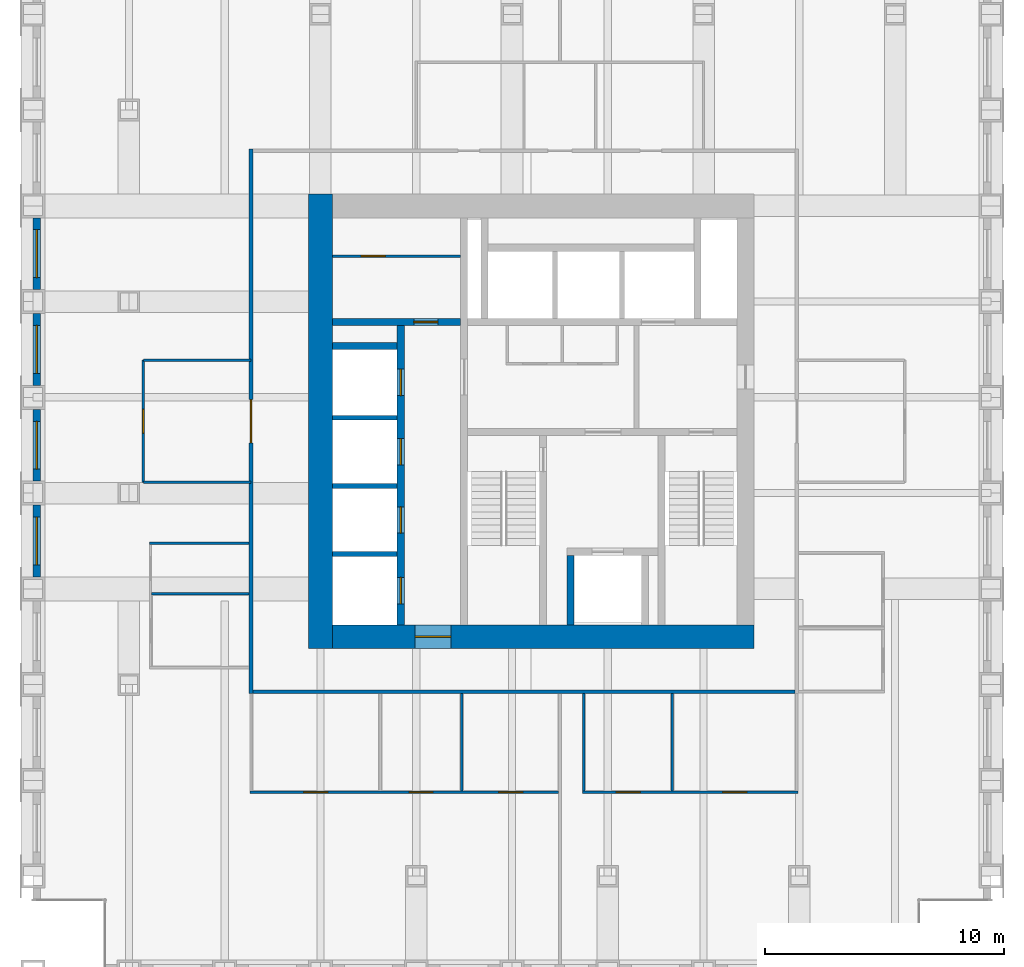
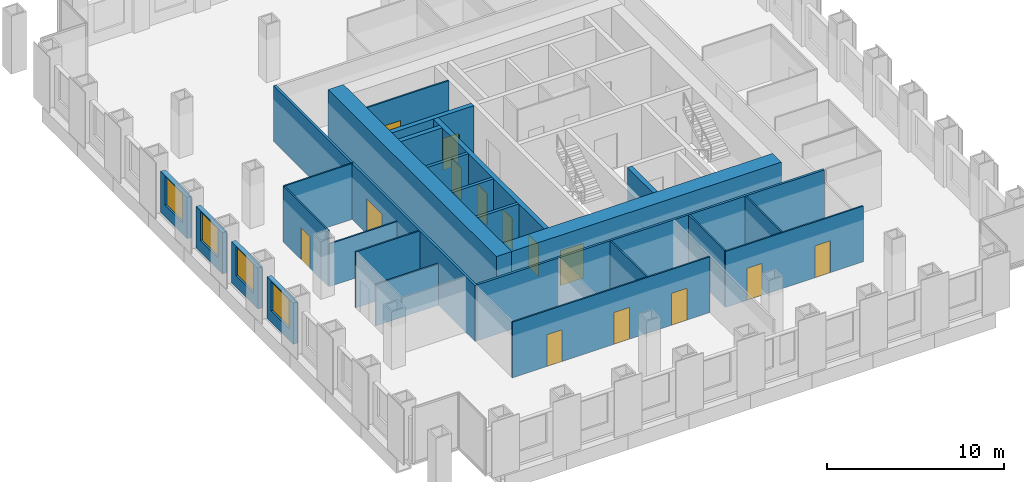
# One storey, part 8 of 12: 26 walls, 14 doors, 4 windows, 18 openings.
"""IFC4 building model written with IfcOpenShell, lengths in metres."""

from ifc_helpers import new_model, si_unit, direction, frame, frame_2d, origin, place, context, subcontext, project, spatial, rectangle, extrude, material, layer, layer_set, type_object, element, fill, save


model = new_model("IFC4")

# Units and contexts
model_context = context("Model", 3, precision=1e-05, world=origin(), true_north=direction((0.0, 1.0)))
body_context = subcontext(model_context, "Body", "Model", "MODEL_VIEW")
ifc_project = project(units=[si_unit("LENGTHUNIT", "METRE"), si_unit("AREAUNIT", "SQUARE_METRE"), si_unit("VOLUMEUNIT", "CUBIC_METRE"), si_unit("PLANEANGLEUNIT", "RADIAN"), si_unit("MASSUNIT", "GRAM", prefix="KILO")], contexts=[model_context])

# Site, building, storey
site_placement = place(None, origin())
site = spatial("IfcSite", under=ifc_project, at=site_placement, CompositionType="ELEMENT")
building_placement = place(site_placement, origin())
building = spatial("IfcBuilding", under=site, at=building_placement, Name="Rimbunsela Tower", CompositionType="ELEMENT")
storey_placement = place(building_placement, frame((0.0, 0.0, 151.800048828125)))
storey = spatial("IfcBuildingStorey", under=building, at=storey_placement, Name="L36", CompositionType="ELEMENT", Elevation=151.800048828125)

# Wall
ifc_material_1 = material(Name="Concrete fc' 80 MPa", Category="concrete")
ifc_layer_1 = layer(ifc_material_1, 0.300048828125)
ifc_layer_set_1 = layer_set([ifc_layer_1], Name="Core internal wall 300")
wall_type_1 = type_object("IfcWallType", Name="Core internal wall 300", PredefinedType="SHEAR", material=ifc_layer_set_1)
wall_1_placement = place(storey_placement, frame((28.449951171875, 18.5, -0.150146484375), z_axis=(0.0, 0.0, 1.0), x_axis=(0.0, 1.0, 0.0)))
element("IfcWall", 1, at=wall_1_placement, inside=storey, type_object=wall_type_1, Name="Firefighting lift shaft west", PredefinedType="SHEAR", context=body_context, shape_type="SweptSolid", body=[
    extrude(rectangle(XDim=2.89990234375, YDim=0.300048828125, at=frame_2d((1.449951171875, 0.0))), origin(), (0.0, 0.0, 1.0), 4.0),
])

# Wall, openings, doors
wall_2_placement = place(storey_placement, frame((21.35009765625, 18.5, -0.150146484375), z_axis=(0.0, 0.0, 1.0), x_axis=(0.0, 1.0, 0.0)))
wall_2 = element("IfcWall", 2, at=wall_2_placement, inside=storey, type_object=wall_type_1, Name="Lift shaft front west", PredefinedType="SHEAR", context=body_context, shape_type="SweptSolid", body=[
    extrude(rectangle(XDim=12.5, YDim=0.300048828125, at=frame_2d((6.25, 0.0))), origin(), (0.0, 0.0, 1.0), 4.0),
])
opening_1_placement = place(wall_2_placement, frame((0.875, 0.0, 0.14990234375)))
opening_1 = element("IfcOpeningElement", 3, at=opening_1_placement, cuts=wall_2, Name="Opening LD1", PredefinedType="OPENING", context=body_context, shape_type="SweptSolid", body=[
    extrude(rectangle(XDim=1.10009765625, YDim=2.199951171875, at=frame_2d((0.550048828125, 1.10009765625))), frame((0.0, 0.159912109375, 0.0), z_axis=(0.0, -1.0, 0.0), x_axis=(1.0, 0.0, 0.0)), (0.0, 0.0, 1.0), 0.320068359375),
])
opening_2_placement = place(wall_2_placement, frame((3.824951171875, 0.0, 0.14990234375)))
opening_2 = element("IfcOpeningElement", 4, at=opening_2_placement, cuts=wall_2, Name="Opening LD1", PredefinedType="OPENING", context=body_context, shape_type="SweptSolid", body=[
    extrude(rectangle(XDim=1.10009765625, YDim=2.199951171875, at=frame_2d((0.550048828125, 1.10009765625))), frame((0.0, 0.159912109375, 0.0), z_axis=(0.0, -1.0, 0.0), x_axis=(1.0, 0.0, 0.0)), (0.0, 0.0, 1.0), 0.320068359375),
])
opening_3_placement = place(wall_2_placement, frame((6.675048828125, 0.0, 0.14990234375)))
opening_3 = element("IfcOpeningElement", 5, at=opening_3_placement, cuts=wall_2, Name="Opening LD1", PredefinedType="OPENING", context=body_context, shape_type="SweptSolid", body=[
    extrude(rectangle(XDim=1.10009765625, YDim=2.199951171875, at=frame_2d((0.550048828125, 1.10009765625))), frame((0.0, 0.159912109375, 0.0), z_axis=(0.0, -1.0, 0.0), x_axis=(1.0, 0.0, 0.0)), (0.0, 0.0, 1.0), 0.320068359375),
])
opening_4_placement = place(wall_2_placement, frame((9.574951171875, 0.0, 0.14990234375)))
opening_4 = element("IfcOpeningElement", 6, at=opening_4_placement, cuts=wall_2, Name="Opening LD1", PredefinedType="OPENING", context=body_context, shape_type="SweptSolid", body=[
    extrude(rectangle(XDim=1.10009765625, YDim=2.199951171875, at=frame_2d((0.550048828125, 1.10009765625))), frame((0.0, 0.159912109375, 0.0), z_axis=(0.0, -1.0, 0.0), x_axis=(1.0, 0.0, 0.0)), (0.0, 0.0, 1.0), 0.320068359375),
])
ifc_material_2 = material(Name="Steel door, fire rated", Category="steel")
door_type_1 = type_object("IfcDoorType", Name="Lift landing door 1100", OperationType="DOUBLE_DOOR_SLIDING", PredefinedType="DOOR", material=ifc_material_2)
door_1_placement = place(opening_1_placement, origin())
door_1 = element("IfcDoor", 7, at=door_1_placement, inside=storey, type_object=door_type_1, Name="Lift landing door HL1", OperationType="DOUBLE_DOOR_SLIDING", OverallHeight=2.199951171875, OverallWidth=1.10009765625, PredefinedType="DOOR", context=body_context, shape_type="SweptSolid", body=[
    extrude(rectangle(XDim=1.10009765625, YDim=2.199951171875, at=frame_2d((0.550048828125, 1.10009765625))), frame((0.0, 0.02490234375, 0.0), z_axis=(0.0, -1.0, 0.0), x_axis=(1.0, 0.0, 0.0)), (0.0, 0.0, 1.0), 0.050048828125),
])
fill(opening_1, door_1)
door_2_placement = place(opening_2_placement, origin())
door_2 = element("IfcDoor", 8, at=door_2_placement, inside=storey, type_object=door_type_1, Name="Lift landing door HL2", OperationType="DOUBLE_DOOR_SLIDING", OverallHeight=2.199951171875, OverallWidth=1.10009765625, PredefinedType="DOOR", context=body_context, shape_type="SweptSolid", body=[
    extrude(rectangle(XDim=1.10009765625, YDim=2.199951171875, at=frame_2d((0.550048828125, 1.10009765625))), frame((0.0, 0.02490234375, 0.0), z_axis=(0.0, -1.0, 0.0), x_axis=(1.0, 0.0, 0.0)), (0.0, 0.0, 1.0), 0.050048828125),
])
fill(opening_2, door_2)
door_3_placement = place(opening_3_placement, origin())
door_3 = element("IfcDoor", 9, at=door_3_placement, inside=storey, type_object=door_type_1, Name="Lift landing door HL3", OperationType="DOUBLE_DOOR_SLIDING", OverallHeight=2.199951171875, OverallWidth=1.10009765625, PredefinedType="DOOR", context=body_context, shape_type="SweptSolid", body=[
    extrude(rectangle(XDim=1.10009765625, YDim=2.199951171875, at=frame_2d((0.550048828125, 1.10009765625))), frame((0.0, 0.02490234375, 0.0), z_axis=(0.0, -1.0, 0.0), x_axis=(1.0, 0.0, 0.0)), (0.0, 0.0, 1.0), 0.050048828125),
])
fill(opening_3, door_3)
door_4_placement = place(opening_4_placement, origin())
door_4 = element("IfcDoor", 10, at=door_4_placement, inside=storey, type_object=door_type_1, Name="Lift landing door HL4", OperationType="DOUBLE_DOOR_SLIDING", OverallHeight=2.199951171875, OverallWidth=1.10009765625, PredefinedType="DOOR", context=body_context, shape_type="SweptSolid", body=[
    extrude(rectangle(XDim=1.10009765625, YDim=2.199951171875, at=frame_2d((0.550048828125, 1.10009765625))), frame((0.0, 0.02490234375, 0.0), z_axis=(0.0, -1.0, 0.0), x_axis=(1.0, 0.0, 0.0)), (0.0, 0.0, 1.0), 0.050048828125),
])
fill(opening_4, door_4)

# Wall, opening, door
wall_3_placement = place(storey_placement, frame((18.5, 31.14990234375, -0.150146484375), z_axis=(0.0, 0.0, 1.0), x_axis=(1.0, 0.0, 0.0)))
wall_3 = element("IfcWall", 11, at=wall_3_placement, inside=storey, type_object=wall_type_1, Name="Store wall", PredefinedType="SHEAR", context=body_context, shape_type="SweptSolid", body=[
    extrude(rectangle(XDim=5.35009765625, YDim=0.300048828125, at=frame_2d((2.675048828125, 0.0))), origin(), (0.0, 0.0, 1.0), 4.0),
])
opening_5_placement = place(wall_3_placement, frame((3.39990234375, 0.0, 0.14990234375)))
opening_5 = element("IfcOpeningElement", 12, at=opening_5_placement, cuts=wall_3, Name="Opening D19", PredefinedType="OPENING", context=body_context, shape_type="SweptSolid", body=[
    extrude(rectangle(XDim=1.0, YDim=2.199951171875, at=frame_2d((0.5, 1.10009765625))), frame((0.0, 0.159912109375, 0.0), z_axis=(0.0, -1.0, 0.0), x_axis=(1.0, 0.0, 0.0)), (0.0, 0.0, 1.0), 0.320068359375),
])
ifc_material_3 = material(Name="Steel door, fire rated", Category="steel")
door_type_2 = type_object("IfcDoorType", Name="Service door 1000 fire rated", OperationType="SINGLE_SWING_LEFT", PredefinedType="DOOR", material=ifc_material_3)
door_5_placement = place(opening_5_placement, origin())
door_5 = element("IfcDoor", 13, at=door_5_placement, inside=storey, type_object=door_type_2, Name="Facilities store door", OperationType="SINGLE_SWING_LEFT", OverallHeight=2.199951171875, OverallWidth=1.0, PredefinedType="DOOR", context=body_context, shape_type="SweptSolid", body=[
    extrude(rectangle(XDim=1.0, YDim=2.199951171875, at=frame_2d((0.5, 1.10009765625))), frame((0.0, 0.02490234375, 0.0), z_axis=(0.0, -1.0, 0.0), x_axis=(1.0, 0.0, 0.0)), (0.0, 0.0, 1.0), 0.050048828125),
])
fill(opening_5, door_5)

# Wall
wall_4_placement = place(storey_placement, frame((18.5, 30.14990234375, -0.150146484375), z_axis=(0.0, 0.0, 1.0), x_axis=(1.0, 0.0, 0.0)))
element("IfcWall", 14, at=wall_4_placement, inside=storey, type_object=wall_type_1, Name="Lift shaft rear west", PredefinedType="SHEAR", context=body_context, shape_type="SweptSolid", body=[
    extrude(rectangle(XDim=2.699951171875, YDim=0.300048828125, at=frame_2d((1.35009765625, 0.0))), origin(), (0.0, 0.0, 1.0), 4.0),
])

# Wall, opening, door
ifc_material_4 = material(Name="Concrete blockwork", Category="masonry")
ifc_layer_2 = layer(ifc_material_4, 0.10009765625)
ifc_layer_set_2 = layer_set([ifc_layer_2], Name="Core room partition 100")
wall_type_2 = type_object("IfcWallType", Name="Core room partition 100", PredefinedType="PARTITIONING", material=ifc_layer_set_2)
wall_5_placement = place(storey_placement, frame((18.5, 33.89990234375, 0.0), z_axis=(0.0, 0.0, 1.0), x_axis=(1.0, 0.0, 0.0)))
wall_5 = element("IfcWall", 15, at=wall_5_placement, inside=storey, type_object=wall_type_2, Name="Equipment store wall", PredefinedType="PARTITIONING", context=body_context, shape_type="SweptSolid", body=[
    extrude(rectangle(XDim=5.35009765625, YDim=0.10009765625, at=frame_2d((2.675048828125, 0.0))), origin(), (0.0, 0.0, 1.0), 3.849853515625),
])
opening_6_placement = place(wall_5_placement, frame((1.199951171875, 0.0, 0.0)))
opening_6 = element("IfcOpeningElement", 16, at=opening_6_placement, cuts=wall_5, Name="Opening D19", PredefinedType="OPENING", context=body_context, shape_type="SweptSolid", body=[
    extrude(rectangle(XDim=1.0, YDim=2.199951171875, at=frame_2d((0.5, 1.10009765625))), frame((0.0, 0.06005859375, 0.0), z_axis=(0.0, -1.0, 0.0), x_axis=(1.0, 0.0, 0.0)), (0.0, 0.0, 1.0), 0.1201171875),
])
door_6_placement = place(opening_6_placement, origin())
door_6 = element("IfcDoor", 17, at=door_6_placement, inside=storey, type_object=door_type_2, Name="Equipment store door", OperationType="SINGLE_SWING_LEFT", OverallHeight=2.199951171875, OverallWidth=1.0, PredefinedType="DOOR", context=body_context, shape_type="SweptSolid", body=[
    extrude(rectangle(XDim=1.0, YDim=2.199951171875, at=frame_2d((0.5, 1.10009765625))), frame((0.0, 0.02490234375, 0.0), z_axis=(0.0, -1.0, 0.0), x_axis=(1.0, 0.0, 0.0)), (0.0, 0.0, 1.0), 0.050048828125),
])
fill(opening_6, door_6)

# Wall
ifc_material_5 = material(Name="Concrete fc' 80 MPa", Category="concrete")
ifc_layer_3 = layer(ifc_material_5, 1.0)
ifc_layer_set_3 = layer_set([ifc_layer_3], Name="Core wall 1000")
wall_type_3 = type_object("IfcWallType", Name="Core wall 1000", PredefinedType="SHEAR", material=ifc_layer_set_3)
wall_6_placement = place(storey_placement, frame((18.0, 17.5, -0.150146484375), z_axis=(0.0, 0.0, 1.0), x_axis=(0.0, 1.0, 0.0)))
element("IfcWall", 18, at=wall_6_placement, inside=storey, type_object=wall_type_3, Name="Core wall west", PredefinedType="SHEAR", context=body_context, shape_type="SweptSolid", body=[
    extrude(rectangle(XDim=19.0, YDim=1.0, at=frame_2d((9.5, 0.0))), origin(), (0.0, 0.0, 1.0), 4.0),
])

# Wall, opening, door
wall_7_placement = place(storey_placement, frame((18.5, 18.0, -0.150146484375), z_axis=(0.0, 0.0, 1.0), x_axis=(1.0, 0.0, 0.0)))
wall_7 = element("IfcWall", 19, at=wall_7_placement, inside=storey, type_object=wall_type_3, Name="Core wall south", PredefinedType="SHEAR", context=body_context, shape_type="SweptSolid", body=[
    extrude(rectangle(XDim=17.60009765625, YDim=1.0, at=frame_2d((8.800048828125, 0.0))), origin(), (0.0, 0.0, 1.0), 4.0),
])
opening_7_placement = place(wall_7_placement, frame((3.449951171875, 0.0, 0.14990234375)))
opening_7 = element("IfcOpeningElement", 20, at=opening_7_placement, cuts=wall_7, Name="Opening D03", PredefinedType="OPENING", context=body_context, shape_type="SweptSolid", body=[
    extrude(rectangle(XDim=1.5, YDim=2.39990234375, at=frame_2d((0.75, 1.199951171875))), frame((0.0, 0.510009765625, 0.0), z_axis=(0.0, -1.0, 0.0), x_axis=(1.0, 0.0, 0.0)), (0.0, 0.0, 1.0), 1.02001953125),
])
ifc_material_6 = material(Name="Steel door, fire rated", Category="steel")
door_type_3 = type_object("IfcDoorType", Name="Core lobby door 1500", OperationType="DOUBLE_DOOR_DOUBLE_SWING", PredefinedType="DOOR", material=ifc_material_6)
door_7_placement = place(opening_7_placement, origin())
door_7 = element("IfcDoor", 21, at=door_7_placement, inside=storey, type_object=door_type_3, Name="Core door south", OperationType="DOUBLE_DOOR_DOUBLE_SWING", OverallHeight=2.39990234375, OverallWidth=1.5, PredefinedType="DOOR", context=body_context, shape_type="SweptSolid", body=[
    extrude(rectangle(XDim=1.5, YDim=2.39990234375, at=frame_2d((0.75, 1.199951171875))), frame((0.0, 0.02490234375, 0.0), z_axis=(0.0, -1.0, 0.0), x_axis=(1.0, 0.0, 0.0)), (0.0, 0.0, 1.0), 0.050048828125),
])
fill(opening_7, door_7)

# Walls
ifc_material_7 = material(Name="Concrete blockwork", Category="masonry")
ifc_layer_4 = layer(ifc_material_7, 0.199951171875)
ifc_layer_set_4 = layer_set([ifc_layer_4], Name="Lift shaft wall 200")
wall_type_4 = type_object("IfcWallType", Name="Lift shaft wall 200", PredefinedType="SOLIDWALL", material=ifc_layer_set_4)
for number, where, z_axis, x_axis, name in (
    (22, (18.5, 21.449951171875, -0.150146484375), (0.0, 0.0, 1.0), (1.0, 0.0, 0.0), "Lift shaft separation"),
    (23, (18.5, 24.300048828125, -0.150146484375), (0.0, 0.0, 1.0), (1.0, 0.0, 0.0), "Lift shaft separation"),
    (24, (18.5, 27.14990234375, -0.150146484375), (0.0, 0.0, 1.0), (1.0, 0.0, 0.0), "Lift shaft separation"),
):
    element("IfcWall", number, at=place(storey_placement, frame(where, z_axis=z_axis, x_axis=x_axis)), inside=storey, type_object=wall_type_4, Name=name, PredefinedType="SOLIDWALL", context=body_context, shape_type="SweptSolid", body=[
        extrude(rectangle(XDim=2.699951171875, YDim=0.199951171875, at=frame_2d((1.35009765625, 0.0))), origin(), (0.0, 0.0, 1.0), 4.0),
    ])

# Wall, openings, doors
ifc_material_8 = material(Name="Gypsum board on steel studs", Category="steel")
ifc_layer_5 = layer(ifc_material_8, 0.10009765625)
ifc_layer_set_5 = layer_set([ifc_layer_5], Name="Office partition 100")
wall_type_5 = type_object("IfcWallType", Name="Office partition 100", PredefinedType="PARTITIONING", material=ifc_layer_set_5)
wall_8_placement = place(storey_placement, frame((15.050048828125, 11.5, 0.0), z_axis=(0.0, 0.0, 1.0), x_axis=(1.0, 0.0, 0.0)))
wall_8 = element("IfcWall", 25, at=wall_8_placement, inside=storey, type_object=wall_type_5, Name="Office partition", PredefinedType="PARTITIONING", context=body_context, shape_type="SweptSolid", body=[
    extrude(rectangle(XDim=12.888916015625, YDim=0.10009765625, at=frame_2d((6.4443359375, 0.0))), origin(), (0.0, 0.0, 1.0), 3.849853515625),
])
opening_8_placement = place(wall_8_placement, frame((2.25, 0.0, 0.0)))
opening_8 = element("IfcOpeningElement", 26, at=opening_8_placement, cuts=wall_8, Name="Opening D17", PredefinedType="OPENING", context=body_context, shape_type="SweptSolid", body=[
    extrude(rectangle(XDim=1.0, YDim=2.199951171875, at=frame_2d((0.5, 1.10009765625))), frame((0.0, 0.06005859375, 0.0), z_axis=(0.0, -1.0, 0.0), x_axis=(1.0, 0.0, 0.0)), (0.0, 0.0, 1.0), 0.1201171875),
])
opening_9_placement = place(wall_8_placement, frame((6.64990234375, 0.0, 0.0)))
opening_9 = element("IfcOpeningElement", 27, at=opening_9_placement, cuts=wall_8, Name="Opening D16", PredefinedType="OPENING", context=body_context, shape_type="SweptSolid", body=[
    extrude(rectangle(XDim=1.0, YDim=2.199951171875, at=frame_2d((0.5, 1.10009765625))), frame((0.0, 0.06005859375, 0.0), z_axis=(0.0, -1.0, 0.0), x_axis=(1.0, 0.0, 0.0)), (0.0, 0.0, 1.0), 0.1201171875),
])
opening_10_placement = place(wall_8_placement, frame((10.3994140625, 0.0, 0.0)))
opening_10 = element("IfcOpeningElement", 28, at=opening_10_placement, cuts=wall_8, Name="Opening D16", PredefinedType="OPENING", context=body_context, shape_type="SweptSolid", body=[
    extrude(rectangle(XDim=1.0, YDim=2.199951171875, at=frame_2d((0.5, 1.10009765625))), frame((0.0, 0.06005859375, 0.0), z_axis=(0.0, -1.0, 0.0), x_axis=(1.0, 0.0, 0.0)), (0.0, 0.0, 1.0), 0.1201171875),
])
ifc_material_9 = material(Name="Glazed aluminium door", Category="aluminium")
door_type_4 = type_object("IfcDoorType", Name="Meeting room door 1000 glazed", OperationType="SINGLE_SWING_RIGHT", PredefinedType="DOOR", material=ifc_material_9)
door_8_placement = place(opening_8_placement, origin())
door_8 = element("IfcDoor", 29, at=door_8_placement, inside=storey, type_object=door_type_4, Name="Meeting room door", OperationType="SINGLE_SWING_RIGHT", OverallHeight=2.199951171875, OverallWidth=1.0, PredefinedType="DOOR", context=body_context, shape_type="SweptSolid", body=[
    extrude(rectangle(XDim=1.0, YDim=2.199951171875, at=frame_2d((0.5, 1.10009765625))), frame((0.0, 0.02490234375, 0.0), z_axis=(0.0, -1.0, 0.0), x_axis=(1.0, 0.0, 0.0)), (0.0, 0.0, 1.0), 0.050048828125),
])
fill(opening_8, door_8)
ifc_material_10 = material(Name="Timber door", Category="wood")
door_type_5 = type_object("IfcDoorType", Name="Office door 1000", OperationType="SINGLE_SWING_LEFT", PredefinedType="DOOR", material=ifc_material_10)
door_9_placement = place(opening_9_placement, origin())
door_9 = element("IfcDoor", 30, at=door_9_placement, inside=storey, type_object=door_type_5, Name="Office door", OperationType="SINGLE_SWING_LEFT", OverallHeight=2.199951171875, OverallWidth=1.0, PredefinedType="DOOR", context=body_context, shape_type="SweptSolid", body=[
    extrude(rectangle(XDim=1.0, YDim=2.199951171875, at=frame_2d((0.5, 1.10009765625))), frame((0.0, 0.02490234375, 0.0), z_axis=(0.0, -1.0, 0.0), x_axis=(1.0, 0.0, 0.0)), (0.0, 0.0, 1.0), 0.050048828125),
])
fill(opening_9, door_9)
door_10_placement = place(opening_10_placement, origin())
door_10 = element("IfcDoor", 31, at=door_10_placement, inside=storey, type_object=door_type_5, Name="Office door", OperationType="SINGLE_SWING_LEFT", OverallHeight=2.199951171875, OverallWidth=1.0, PredefinedType="DOOR", context=body_context, shape_type="SweptSolid", body=[
    extrude(rectangle(XDim=1.0, YDim=2.199951171875, at=frame_2d((0.5, 1.10009765625))), frame((0.0, 0.02490234375, 0.0), z_axis=(0.0, -1.0, 0.0), x_axis=(1.0, 0.0, 0.0)), (0.0, 0.0, 1.0), 0.050048828125),
])
fill(opening_10, door_10)

wall_9_placement = place(storey_placement, frame((28.948974609375, 11.5, 0.0), z_axis=(0.0, 0.0, 1.0), x_axis=(1.0, 0.0, 0.0)))
wall_9 = element("IfcWall", 32, at=wall_9_placement, inside=storey, type_object=wall_type_5, Name="Office partition", PredefinedType="PARTITIONING", context=body_context, shape_type="SweptSolid", body=[
    extrude(rectangle(XDim=9.0009765625, YDim=0.10009765625, at=frame_2d((4.50048828125, 0.0))), origin(), (0.0, 0.0, 1.0), 3.849853515625),
])
opening_11_placement = place(wall_9_placement, frame((1.39990234375, 0.0, 0.0)))
opening_11 = element("IfcOpeningElement", 33, at=opening_11_placement, cuts=wall_9, Name="Opening D17", PredefinedType="OPENING", context=body_context, shape_type="SweptSolid", body=[
    extrude(rectangle(XDim=1.0, YDim=2.199951171875, at=frame_2d((0.5, 1.10009765625))), frame((0.0, 0.06005859375, 0.0), z_axis=(0.0, -1.0, 0.0), x_axis=(1.0, 0.0, 0.0)), (0.0, 0.0, 1.0), 0.1201171875),
])
opening_12_placement = place(wall_9_placement, frame((5.8505859375, 0.0, 0.0)))
opening_12 = element("IfcOpeningElement", 34, at=opening_12_placement, cuts=wall_9, Name="Opening D16", PredefinedType="OPENING", context=body_context, shape_type="SweptSolid", body=[
    extrude(rectangle(XDim=1.0, YDim=2.199951171875, at=frame_2d((0.5, 1.10009765625))), frame((0.0, 0.06005859375, 0.0), z_axis=(0.0, -1.0, 0.0), x_axis=(1.0, 0.0, 0.0)), (0.0, 0.0, 1.0), 0.1201171875),
])
door_11_placement = place(opening_11_placement, origin())
door_11 = element("IfcDoor", 35, at=door_11_placement, inside=storey, type_object=door_type_4, Name="Meeting room door", OperationType="SINGLE_SWING_RIGHT", OverallHeight=2.199951171875, OverallWidth=1.0, PredefinedType="DOOR", context=body_context, shape_type="SweptSolid", body=[
    extrude(rectangle(XDim=1.0, YDim=2.199951171875, at=frame_2d((0.5, 1.10009765625))), frame((0.0, 0.02490234375, 0.0), z_axis=(0.0, -1.0, 0.0), x_axis=(1.0, 0.0, 0.0)), (0.0, 0.0, 1.0), 0.050048828125),
])
fill(opening_11, door_11)
door_12_placement = place(opening_12_placement, origin())
door_12 = element("IfcDoor", 36, at=door_12_placement, inside=storey, type_object=door_type_5, Name="Office door", OperationType="SINGLE_SWING_LEFT", OverallHeight=2.199951171875, OverallWidth=1.0, PredefinedType="DOOR", context=body_context, shape_type="SweptSolid", body=[
    extrude(rectangle(XDim=1.0, YDim=2.199951171875, at=frame_2d((0.5, 1.10009765625))), frame((0.0, 0.02490234375, 0.0), z_axis=(0.0, -1.0, 0.0), x_axis=(1.0, 0.0, 0.0)), (0.0, 0.0, 1.0), 0.050048828125),
])
fill(opening_12, door_12)

# Walls
wall_10_placement = place(storey_placement, frame((10.949951171875, 19.800048828125, 0.0), z_axis=(0.0, 0.0, 1.0), x_axis=(1.0, 0.0, 0.0)))
element("IfcWall", 37, at=wall_10_placement, inside=storey, type_object=wall_type_5, Name="Office partition", PredefinedType="PARTITIONING", context=body_context, shape_type="SweptSolid", body=[
    extrude(rectangle(XDim=4.074951171875, YDim=0.10009765625, at=frame_2d((2.03759765625, 0.0))), origin(), (0.0, 0.0, 1.0), 2.849853515625),
])
wall_11_placement = place(storey_placement, frame((10.85009765625, 21.89990234375, 0.0), z_axis=(0.0, 0.0, 1.0), x_axis=(1.0, 0.0, 0.0)))
element("IfcWall", 38, at=wall_11_placement, inside=storey, type_object=wall_type_5, Name="Office partition", PredefinedType="PARTITIONING", context=body_context, shape_type="SweptSolid", body=[
    extrude(rectangle(XDim=4.1748046875, YDim=0.10009765625, at=frame_2d((2.08740234375, 0.0))), origin(), (0.0, 0.0, 1.0), 3.849853515625),
])
for number, where, z_axis, x_axis, name in (
    (39, (23.89990234375, 11.550048828125, 0.0), (0.0, 0.0, 1.0), (0.0, 1.0, 0.0), "Office partition"),
    (40, (28.9990234375, 11.550048828125, 0.0), (0.0, 0.0, 1.0), (0.0, 1.0, 0.0), "Office partition"),
    (41, (32.698974609375, 11.550048828125, 0.0), (0.0, 0.0, 1.0), (0.0, 1.0, 0.0), "Office partition"),
):
    element("IfcWall", number, at=place(storey_placement, frame(where, z_axis=z_axis, x_axis=x_axis)), inside=storey, type_object=wall_type_5, Name=name, PredefinedType="PARTITIONING", context=body_context, shape_type="SweptSolid", body=[
        extrude(rectangle(XDim=4.074951171875, YDim=0.10009765625, at=frame_2d((2.03759765625, 0.0))), origin(), (0.0, 0.0, 1.0), 3.849853515625),
    ])
wall_12_placement = place(storey_placement, frame((15.10009765625, 29.550048828125, 0.0), z_axis=(0.0, 0.0, 1.0), x_axis=(-1.0, 0.0, 0.0)))
element("IfcWall", 42, at=wall_12_placement, inside=storey, type_object=wall_type_5, Name="Office partition", PredefinedType="PARTITIONING", context=body_context, shape_type="SweptSolid", body=[
    extrude(rectangle(XDim=4.5, YDim=0.10009765625, at=frame_2d((2.25, 0.0))), origin(), (0.0, 0.0, 1.0), 3.849853515625),
])

# Wall, opening, door
wall_13_placement = place(storey_placement, frame((10.60009765625, 29.550048828125, 0.0), z_axis=(0.0, 0.0, 1.0), x_axis=(0.0, -1.0, 0.0)))
wall_13 = element("IfcWall", 43, at=wall_13_placement, inside=storey, type_object=wall_type_5, Name="Office partition", PredefinedType="PARTITIONING", context=body_context, shape_type="SweptSolid", body=[
    extrude(rectangle(XDim=5.10009765625, YDim=0.10009765625, at=frame_2d((2.550048828125, 0.0))), origin(), (0.0, 0.0, 1.0), 3.849853515625),
])
opening_13_placement = place(wall_13_placement, frame((2.050048828125, 0.0, 0.0)))
opening_13 = element("IfcOpeningElement", 44, at=opening_13_placement, cuts=wall_13, Name="Opening D17", PredefinedType="OPENING", context=body_context, shape_type="SweptSolid", body=[
    extrude(rectangle(XDim=1.0, YDim=2.199951171875, at=frame_2d((0.5, 1.10009765625))), frame((0.0, 0.06005859375, 0.0), z_axis=(0.0, -1.0, 0.0), x_axis=(1.0, 0.0, 0.0)), (0.0, 0.0, 1.0), 0.1201171875),
])
door_13_placement = place(opening_13_placement, origin())
door_13 = element("IfcDoor", 45, at=door_13_placement, inside=storey, type_object=door_type_4, Name="Reception door", OperationType="SINGLE_SWING_RIGHT", OverallHeight=2.199951171875, OverallWidth=1.0, PredefinedType="DOOR", context=body_context, shape_type="SweptSolid", body=[
    extrude(rectangle(XDim=1.0, YDim=2.199951171875, at=frame_2d((0.5, 1.10009765625))), frame((0.0, 0.02490234375, 0.0), z_axis=(0.0, -1.0, 0.0), x_axis=(1.0, 0.0, 0.0)), (0.0, 0.0, 1.0), 0.050048828125),
])
fill(opening_13, door_13)

# Wall
wall_14_placement = place(storey_placement, frame((10.60009765625, 24.449951171875, 0.0), z_axis=(0.0, 0.0, 1.0), x_axis=(1.0, 0.0, 0.0)))
element("IfcWall", 46, at=wall_14_placement, inside=storey, type_object=wall_type_5, Name="Office partition", PredefinedType="PARTITIONING", context=body_context, shape_type="SweptSolid", body=[
    extrude(rectangle(XDim=4.5, YDim=0.10009765625, at=frame_2d((2.25, 0.0))), origin(), (0.0, 0.0, 1.0), 2.949951171875),
])

# Wall, opening, window
ifc_material_11 = material(Name="Precast concrete fc' 35 MPa", Category="concrete")
ifc_layer_6 = layer(ifc_material_11, 0.300048828125)
ifc_layer_set_6 = layer_set([ifc_layer_6], Name="Precast concrete fc' 35 MPa")
wall_type_6 = type_object("IfcWallType", Name="Precast facade panel 300", PredefinedType="ELEMENTEDWALL", material=ifc_layer_set_6)
wall_15_placement = place(storey_placement, frame((6.14990234375, 23.5, 0.0), z_axis=(0.0, 0.0, 1.0), x_axis=(0.0, -1.0, 0.0)))
wall_15 = element("IfcWall", 47, at=wall_15_placement, inside=storey, type_object=wall_type_6, Name="Facade panel W L36", PredefinedType="ELEMENTEDWALL", context=body_context, shape_type="SweptSolid", body=[
    extrude(rectangle(XDim=3.0, YDim=0.300048828125, at=frame_2d((1.5, 0.0))), origin(), (0.0, 0.0, 1.0), 2.849853515625),
])
opening_14_placement = place(wall_15_placement, frame((0.5, 0.0, 0.800048828125)))
opening_14 = element("IfcOpeningElement", 48, at=opening_14_placement, cuts=wall_15, Name="Opening W1", PredefinedType="OPENING", context=body_context, shape_type="SweptSolid", body=[
    extrude(rectangle(XDim=2.0, YDim=2.0, at=frame_2d((1.0, 1.0))), frame((0.0, 0.159912109375, 0.0), z_axis=(0.0, -1.0, 0.0), x_axis=(1.0, 0.0, 0.0)), (0.0, 0.0, 1.0), 0.320068359375),
])
ifc_material_12 = material(Name="Clear glass in aluminium frame", Category="aluminium")
window_type = type_object("IfcWindowType", Name="Window W1 2000x2000", PartitioningType="DOUBLE_PANEL_VERTICAL", PredefinedType="WINDOW", material=ifc_material_12)
window_1_placement = place(opening_14_placement, origin())
window_1 = element("IfcWindow", 49, at=window_1_placement, inside=storey, type_object=window_type, Name="Window L36", OverallHeight=2.0, OverallWidth=2.0, PartitioningType="SINGLE_PANEL", PredefinedType="WINDOW", context=body_context, shape_type="SweptSolid", body=[
    extrude(rectangle(XDim=2.0, YDim=2.0, at=frame_2d((1.0, 1.0))), frame((0.0, 0.030029296875, 0.0), z_axis=(0.0, -1.0, 0.0), x_axis=(1.0, 0.0, 0.0)), (0.0, 0.0, 1.0), 0.06005859375),
])
fill(opening_14, window_1)

wall_16_placement = place(storey_placement, frame((6.14990234375, 27.5, 0.0), z_axis=(0.0, 0.0, 1.0), x_axis=(0.0, -1.0, 0.0)))
wall_16 = element("IfcWall", 50, at=wall_16_placement, inside=storey, type_object=wall_type_6, Name="Facade panel W L36", PredefinedType="ELEMENTEDWALL", context=body_context, shape_type="SweptSolid", body=[
    extrude(rectangle(XDim=3.0, YDim=0.300048828125, at=frame_2d((1.5, 0.0))), origin(), (0.0, 0.0, 1.0), 2.849853515625),
])
opening_15_placement = place(wall_16_placement, frame((0.5, 0.0, 0.800048828125)))
opening_15 = element("IfcOpeningElement", 51, at=opening_15_placement, cuts=wall_16, Name="Opening W1", PredefinedType="OPENING", context=body_context, shape_type="SweptSolid", body=[
    extrude(rectangle(XDim=2.0, YDim=2.0, at=frame_2d((1.0, 1.0))), frame((0.0, 0.159912109375, 0.0), z_axis=(0.0, -1.0, 0.0), x_axis=(1.0, 0.0, 0.0)), (0.0, 0.0, 1.0), 0.320068359375),
])
window_2_placement = place(opening_15_placement, origin())
window_2 = element("IfcWindow", 52, at=window_2_placement, inside=storey, type_object=window_type, Name="Window L36", OverallHeight=2.0, OverallWidth=2.0, PartitioningType="SINGLE_PANEL", PredefinedType="WINDOW", context=body_context, shape_type="SweptSolid", body=[
    extrude(rectangle(XDim=2.0, YDim=2.0, at=frame_2d((1.0, 1.0))), frame((0.0, 0.030029296875, 0.0), z_axis=(0.0, -1.0, 0.0), x_axis=(1.0, 0.0, 0.0)), (0.0, 0.0, 1.0), 0.06005859375),
])
fill(opening_15, window_2)

wall_17_placement = place(storey_placement, frame((6.14990234375, 31.5, 0.0), z_axis=(0.0, 0.0, 1.0), x_axis=(0.0, -1.0, 0.0)))
wall_17 = element("IfcWall", 53, at=wall_17_placement, inside=storey, type_object=wall_type_6, Name="Facade panel W L36", PredefinedType="ELEMENTEDWALL", context=body_context, shape_type="SweptSolid", body=[
    extrude(rectangle(XDim=3.0, YDim=0.300048828125, at=frame_2d((1.5, 0.0))), origin(), (0.0, 0.0, 1.0), 2.849853515625),
])
opening_16_placement = place(wall_17_placement, frame((0.5, 0.0, 0.800048828125)))
opening_16 = element("IfcOpeningElement", 54, at=opening_16_placement, cuts=wall_17, Name="Opening W1", PredefinedType="OPENING", context=body_context, shape_type="SweptSolid", body=[
    extrude(rectangle(XDim=2.0, YDim=2.0, at=frame_2d((1.0, 1.0))), frame((0.0, 0.159912109375, 0.0), z_axis=(0.0, -1.0, 0.0), x_axis=(1.0, 0.0, 0.0)), (0.0, 0.0, 1.0), 0.320068359375),
])
window_3_placement = place(opening_16_placement, origin())
window_3 = element("IfcWindow", 55, at=window_3_placement, inside=storey, type_object=window_type, Name="Window L36", OverallHeight=2.0, OverallWidth=2.0, PartitioningType="SINGLE_PANEL", PredefinedType="WINDOW", context=body_context, shape_type="SweptSolid", body=[
    extrude(rectangle(XDim=2.0, YDim=2.0, at=frame_2d((1.0, 1.0))), frame((0.0, 0.030029296875, 0.0), z_axis=(0.0, -1.0, 0.0), x_axis=(1.0, 0.0, 0.0)), (0.0, 0.0, 1.0), 0.06005859375),
])
fill(opening_16, window_3)

wall_18_placement = place(storey_placement, frame((6.14990234375, 35.5, 0.0), z_axis=(0.0, 0.0, 1.0), x_axis=(0.0, -1.0, 0.0)))
wall_18 = element("IfcWall", 56, at=wall_18_placement, inside=storey, type_object=wall_type_6, Name="Facade panel W L36", PredefinedType="ELEMENTEDWALL", context=body_context, shape_type="SweptSolid", body=[
    extrude(rectangle(XDim=3.0, YDim=0.300048828125, at=frame_2d((1.5, 0.0))), origin(), (0.0, 0.0, 1.0), 2.849853515625),
])
opening_17_placement = place(wall_18_placement, frame((0.5, 0.0, 0.800048828125)))
opening_17 = element("IfcOpeningElement", 57, at=opening_17_placement, cuts=wall_18, Name="Opening W1", PredefinedType="OPENING", context=body_context, shape_type="SweptSolid", body=[
    extrude(rectangle(XDim=2.0, YDim=2.0, at=frame_2d((1.0, 1.0))), frame((0.0, 0.159912109375, 0.0), z_axis=(0.0, -1.0, 0.0), x_axis=(1.0, 0.0, 0.0)), (0.0, 0.0, 1.0), 0.320068359375),
])
window_4_placement = place(opening_17_placement, origin())
window_4 = element("IfcWindow", 58, at=window_4_placement, inside=storey, type_object=window_type, Name="Window L36", OverallHeight=2.0, OverallWidth=2.0, PartitioningType="SINGLE_PANEL", PredefinedType="WINDOW", context=body_context, shape_type="SweptSolid", body=[
    extrude(rectangle(XDim=2.0, YDim=2.0, at=frame_2d((1.0, 1.0))), frame((0.0, 0.030029296875, 0.0), z_axis=(0.0, -1.0, 0.0), x_axis=(1.0, 0.0, 0.0)), (0.0, 0.0, 1.0), 0.06005859375),
])
fill(opening_17, window_4)

# Wall, opening, door
ifc_material_13 = material(Name="Fire-rated gypsum board on steel studs, EI 60", Category="steel")
ifc_layer_7 = layer(ifc_material_13, 0.14990234375)
ifc_layer_set_7 = layer_set([ifc_layer_7], Name="Rated corridor wall 150")
wall_type_7 = type_object("IfcWallType", Name="Rated corridor wall 150", PredefinedType="PARTITIONING", material=ifc_layer_set_7)
wall_19_placement = place(storey_placement, frame((15.10009765625, 15.625, 0.0), z_axis=(0.0, 0.0, 1.0), x_axis=(0.0, 1.0, 0.0)))
wall_19 = element("IfcWall", 59, at=wall_19_placement, inside=storey, type_object=wall_type_7, Name="Corridor wall west", PredefinedType="PARTITIONING", context=body_context, shape_type="SweptSolid", body=[
    extrude(rectangle(XDim=22.75, YDim=0.14990234375, at=frame_2d((11.375, 0.0))), origin(), (0.0, 0.0, 1.0), 3.849853515625),
])
opening_18_placement = place(wall_19_placement, frame((10.47509765625, 0.0, 0.0)))
opening_18 = element("IfcOpeningElement", 60, at=opening_18_placement, cuts=wall_19, Name="Opening D09", PredefinedType="OPENING", context=body_context, shape_type="SweptSolid", body=[
    extrude(rectangle(XDim=1.800048828125, YDim=2.39990234375, at=frame_2d((0.89990234375, 1.199951171875))), frame((0.0, 0.0849609375, 0.0), z_axis=(0.0, -1.0, 0.0), x_axis=(1.0, 0.0, 0.0)), (0.0, 0.0, 1.0), 0.169921875),
])
ifc_material_14 = material(Name="Glazed aluminium door, fire rated", Category="aluminium")
door_type_6 = type_object("IfcDoorType", Name="Tenancy door 1800 glazed", OperationType="DOUBLE_DOOR_DOUBLE_SWING", PredefinedType="DOOR", material=ifc_material_14)
door_14_placement = place(opening_18_placement, origin())
door_14 = element("IfcDoor", 61, at=door_14_placement, inside=storey, type_object=door_type_6, Name="Tenancy door", OperationType="DOUBLE_DOOR_DOUBLE_SWING", OverallHeight=2.39990234375, OverallWidth=1.800048828125, PredefinedType="DOOR", context=body_context, shape_type="SweptSolid", body=[
    extrude(rectangle(XDim=1.800048828125, YDim=2.39990234375, at=frame_2d((0.89990234375, 1.199951171875))), frame((0.0, 0.02490234375, 0.0), z_axis=(0.0, -1.0, 0.0), x_axis=(1.0, 0.0, 0.0)), (0.0, 0.0, 1.0), 0.050048828125),
])
fill(opening_18, door_14)

# Wall
wall_20_placement = place(storey_placement, frame((15.175048828125, 15.699951171875, 0.0), z_axis=(0.0, 0.0, 1.0), x_axis=(1.0, 0.0, 0.0)))
element("IfcWall", 62, at=wall_20_placement, inside=storey, type_object=wall_type_7, Name="Corridor wall south", PredefinedType="PARTITIONING", context=body_context, shape_type="SweptSolid", body=[
    extrude(rectangle(XDim=22.64990234375, YDim=0.14990234375, at=frame_2d((11.324951171875, 0.0))), origin(), (0.0, 0.0, 1.0), 3.849853515625),
])

save(model, "model.ifc")
